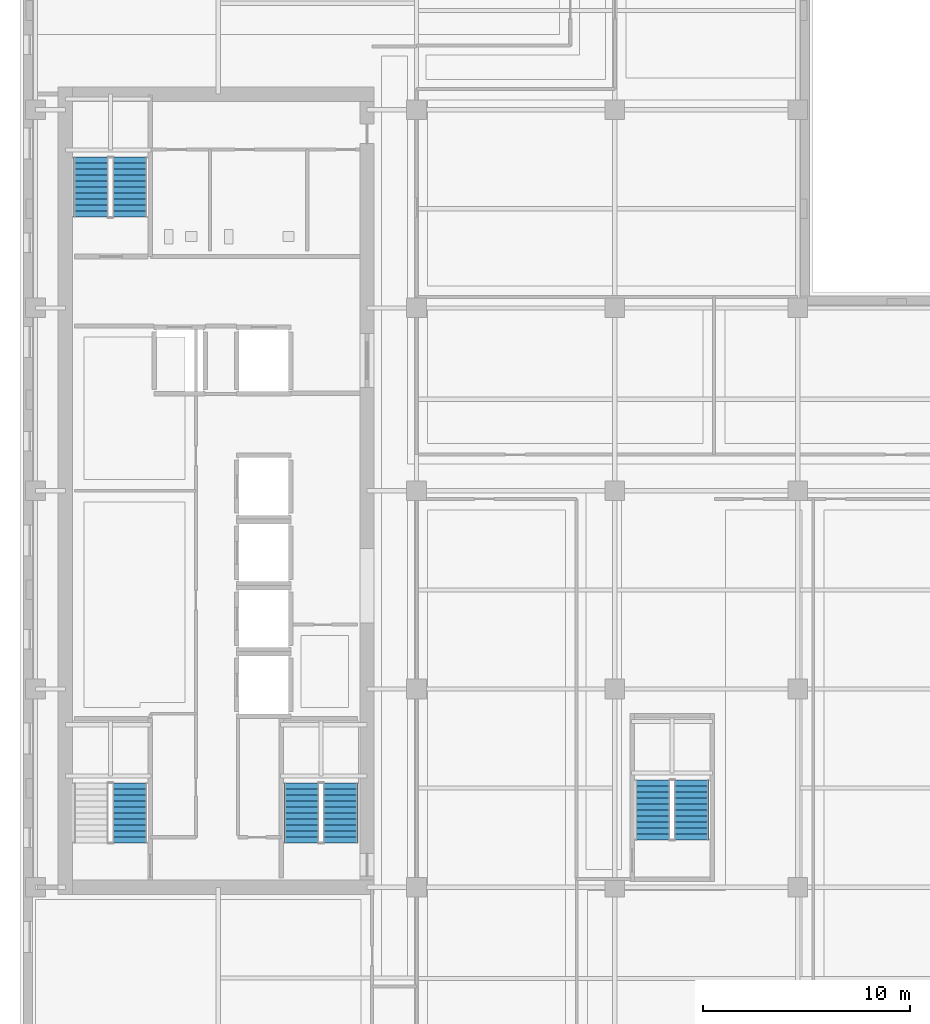
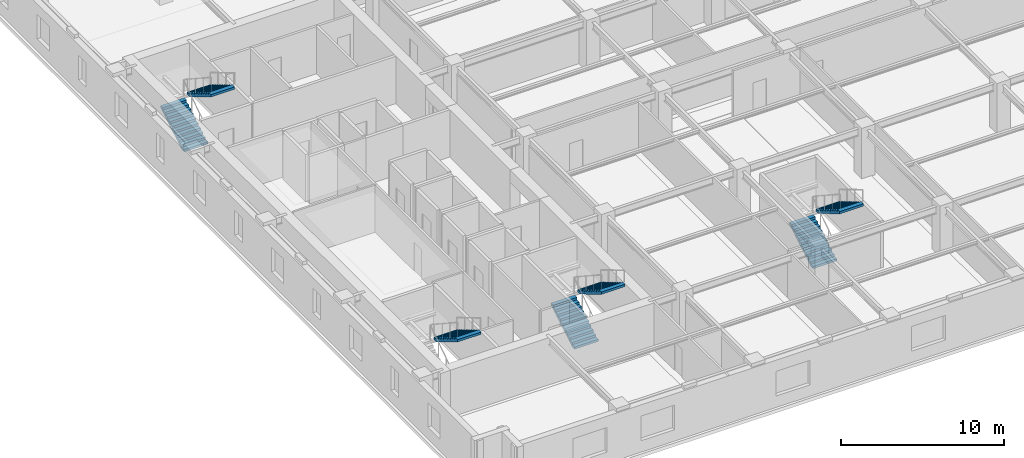
# One storey, part 7 of 12: 7 stair flights, 4 elements without a shape of their own.
"""IFC4 building model written with IfcOpenShell, lengths in metres."""

from ifc_helpers import new_model, si_unit, direction, frame, origin, place, context, subcontext, project, spatial, polyline, outline, extrude, material, type_object, element, aggregate, save


model = new_model("IFC4")

# Units and contexts
model_context = context("Model", 3, precision=1e-05, world=origin(), true_north=direction((0.0, 1.0)))
body_context = subcontext(model_context, "Body", "Model", "MODEL_VIEW")
ifc_project = project(units=[si_unit("LENGTHUNIT", "METRE"), si_unit("AREAUNIT", "SQUARE_METRE"), si_unit("VOLUMEUNIT", "CUBIC_METRE"), si_unit("PLANEANGLEUNIT", "RADIAN"), si_unit("MASSUNIT", "GRAM", prefix="KILO")], contexts=[model_context])

# Site, building, storey
site_placement = place(None, origin())
site = spatial("IfcSite", under=ifc_project, at=site_placement, CompositionType="ELEMENT")
building_placement = place(site_placement, origin())
building = spatial("IfcBuilding", under=site, at=building_placement, Name="Norrvale University Quadrangle", CompositionType="ELEMENT")
storey_placement = place(building_placement, frame((0.0, 0.0, 182.60009765625)))
storey = spatial("IfcBuildingStorey", under=building, at=storey_placement, Name="L46", CompositionType="ELEMENT", Elevation=182.60009765625)

# Stair, stair flight
ifc_material = material(Name="Concrete C40/50", Category="concrete")
stair_type = type_object("IfcStairType", Name="Stair Tower Typ 3800", PredefinedType="TWO_STRAIGHT_RUN_STAIR", material=ifc_material)
stair_1_placement = place(storey_placement, origin())
stair_1 = element("IfcStair", 1, at=stair_1_placement, inside=storey, type_object=stair_type, Name="Exit Stair ST-01 L46", PredefinedType="TWO_STRAIGHT_RUN_STAIR")
stair_flight_type = type_object("IfcStairFlightType", Name="Flight Typ 1500", PredefinedType="STRAIGHT", material=ifc_material)
stair_flight_1_placement = place(storey_placement, frame((5.320068359375, 14.64990234375, 1.89990234375), z_axis=(0.0, 0.0, 1.0), x_axis=(0.0, -1.0, 0.0)))
stair_flight_1 = element("IfcStairFlight", 2, at=stair_flight_1_placement, type_object=stair_flight_type, Name="Exit Stair ST-01 L46 Upper Flight", NumberOfRisers=11, NumberOfTreads=10, PredefinedType="STRAIGHT", RiserHeight=0.172727, TreadLength=0.29, context=body_context, shape_type="SweptSolid", body=[
    extrude(outline(polyline([(0.0, 0.0), (0.0, 0.172607421875), (0.2900390625, 0.172607421875), (0.2900390625, 0.345458984375), (0.580078125, 0.345458984375), (0.580078125, 0.51806640625), (0.8701171875, 0.51806640625), (0.8701171875, 0.69091796875), (1.159912109375, 0.69091796875), (1.159912109375, 0.863525390625), (1.449951171875, 0.863525390625), (1.449951171875, 1.036376953125), (1.739990234375, 1.036376953125), (1.739990234375, 1.208984375), (2.030029296875, 1.208984375), (2.030029296875, 1.3818359375), (2.320068359375, 1.3818359375), (2.320068359375, 1.554443359375), (2.610107421875, 1.554443359375), (2.610107421875, 1.727294921875), (2.89990234375, 1.727294921875), (2.89990234375, 1.89990234375), (2.89990234375, 1.552734375), (0.29296875, 0.0), (0.0, 0.0)])), frame((0.0, 0.83984375, 0.0), z_axis=(0.0, -1.0, 0.0), x_axis=(1.0, 0.0, 0.0)), (0.0, 0.0, 1.0), 1.679931640625),
])
aggregate(stair_1, [stair_flight_1])

# Stair, stair flights
stair_2_placement = place(storey_placement, origin())
stair_2 = element("IfcStair", 3, at=stair_2_placement, inside=storey, type_object=stair_type, Name="Exit Stair ST-02 L46", PredefinedType="TWO_STRAIGHT_RUN_STAIR")
stair_flight_2_placement = place(storey_placement, frame((3.429931640625, 42.050048828125, 0.0), z_axis=(0.0, 0.0, 1.0), x_axis=(0.0, 1.0, 0.0)))
stair_flight_2 = element("IfcStairFlight", 4, at=stair_flight_2_placement, type_object=stair_flight_type, Name="Exit Stair ST-02 L46 Lower Flight", NumberOfRisers=11, NumberOfTreads=10, PredefinedType="STRAIGHT", RiserHeight=0.172727, TreadLength=0.29, context=body_context, shape_type="SweptSolid", body=[
    extrude(outline(polyline([(0.0, 0.0), (0.0, 0.172607421875), (0.2900390625, 0.172607421875), (0.2900390625, 0.345458984375), (0.580078125, 0.345458984375), (0.580078125, 0.51806640625), (0.8701171875, 0.51806640625), (0.8701171875, 0.69091796875), (1.159912109375, 0.69091796875), (1.159912109375, 0.863525390625), (1.449951171875, 0.863525390625), (1.449951171875, 1.036376953125), (1.739990234375, 1.036376953125), (1.739990234375, 1.208984375), (2.030029296875, 1.208984375), (2.030029296875, 1.3818359375), (2.320068359375, 1.3818359375), (2.320068359375, 1.554443359375), (2.610107421875, 1.554443359375), (2.610107421875, 1.727294921875), (2.89990234375, 1.727294921875), (2.89990234375, 1.89990234375), (2.89990234375, 1.552734375), (0.29296875, 0.0), (0.0, 0.0)])), frame((0.0, 0.83984375, 0.0), z_axis=(0.0, -1.0, 0.0), x_axis=(1.0, 0.0, 0.0)), (0.0, 0.0, 1.0), 1.679931640625),
])
stair_flight_3_placement = place(storey_placement, frame((5.320068359375, 44.949951171875, 1.89990234375), z_axis=(0.0, 0.0, 1.0), x_axis=(0.0, -1.0, 0.0)))
stair_flight_3 = element("IfcStairFlight", 5, at=stair_flight_3_placement, type_object=stair_flight_type, Name="Exit Stair ST-02 L46 Upper Flight", NumberOfRisers=11, NumberOfTreads=10, PredefinedType="STRAIGHT", RiserHeight=0.172727, TreadLength=0.29, context=body_context, shape_type="SweptSolid", body=[
    extrude(outline(polyline([(0.0, 0.0), (0.0, 0.172607421875), (0.2900390625, 0.172607421875), (0.2900390625, 0.345458984375), (0.580078125, 0.345458984375), (0.580078125, 0.51806640625), (0.8701171875, 0.51806640625), (0.8701171875, 0.69091796875), (1.159912109375, 0.69091796875), (1.159912109375, 0.863525390625), (1.449951171875, 0.863525390625), (1.449951171875, 1.036376953125), (1.739990234375, 1.036376953125), (1.739990234375, 1.208984375), (2.030029296875, 1.208984375), (2.030029296875, 1.3818359375), (2.320068359375, 1.3818359375), (2.320068359375, 1.554443359375), (2.610107421875, 1.554443359375), (2.610107421875, 1.727294921875), (2.89990234375, 1.727294921875), (2.89990234375, 1.89990234375), (2.89990234375, 1.552734375), (0.29296875, 0.0), (0.0, 0.0)])), frame((0.0, 0.83984375, 0.0), z_axis=(0.0, -1.0, 0.0), x_axis=(1.0, 0.0, 0.0)), (0.0, 0.0, 1.0), 1.679931640625),
])
aggregate(stair_2, [stair_flight_2, stair_flight_3])

stair_3_placement = place(storey_placement, origin())
stair_3 = element("IfcStair", 6, at=stair_3_placement, inside=storey, type_object=stair_type, Name="Exit Stair ST-03 L46", PredefinedType="TWO_STRAIGHT_RUN_STAIR")
stair_flight_4_placement = place(storey_placement, frame((13.6298828125, 11.75, 0.0), z_axis=(0.0, 0.0, 1.0), x_axis=(0.0, 1.0, 0.0)))
stair_flight_4 = element("IfcStairFlight", 7, at=stair_flight_4_placement, type_object=stair_flight_type, Name="Exit Stair ST-03 L46 Lower Flight", NumberOfRisers=11, NumberOfTreads=10, PredefinedType="STRAIGHT", RiserHeight=0.172727, TreadLength=0.29, context=body_context, shape_type="SweptSolid", body=[
    extrude(outline(polyline([(0.0, 0.0), (0.0, 0.172607421875), (0.2900390625, 0.172607421875), (0.2900390625, 0.345458984375), (0.580078125, 0.345458984375), (0.580078125, 0.51806640625), (0.8701171875, 0.51806640625), (0.8701171875, 0.69091796875), (1.159912109375, 0.69091796875), (1.159912109375, 0.863525390625), (1.449951171875, 0.863525390625), (1.449951171875, 1.036376953125), (1.739990234375, 1.036376953125), (1.739990234375, 1.208984375), (2.030029296875, 1.208984375), (2.030029296875, 1.3818359375), (2.320068359375, 1.3818359375), (2.320068359375, 1.554443359375), (2.610107421875, 1.554443359375), (2.610107421875, 1.727294921875), (2.89990234375, 1.727294921875), (2.89990234375, 1.89990234375), (2.89990234375, 1.552734375), (0.29296875, 0.0), (0.0, 0.0)])), frame((0.0, 0.83984375, 0.0), z_axis=(0.0, -1.0, 0.0), x_axis=(1.0, 0.0, 0.0)), (0.0, 0.0, 1.0), 1.679931640625),
])
stair_flight_5_placement = place(storey_placement, frame((15.52001953125, 14.64990234375, 1.89990234375), z_axis=(0.0, 0.0, 1.0), x_axis=(0.0, -1.0, 0.0)))
stair_flight_5 = element("IfcStairFlight", 8, at=stair_flight_5_placement, type_object=stair_flight_type, Name="Exit Stair ST-03 L46 Upper Flight", NumberOfRisers=11, NumberOfTreads=10, PredefinedType="STRAIGHT", RiserHeight=0.172727, TreadLength=0.29, context=body_context, shape_type="SweptSolid", body=[
    extrude(outline(polyline([(0.0, 0.0), (0.0, 0.172607421875), (0.2900390625, 0.172607421875), (0.2900390625, 0.345458984375), (0.580078125, 0.345458984375), (0.580078125, 0.51806640625), (0.8701171875, 0.51806640625), (0.8701171875, 0.69091796875), (1.159912109375, 0.69091796875), (1.159912109375, 0.863525390625), (1.449951171875, 0.863525390625), (1.449951171875, 1.036376953125), (1.739990234375, 1.036376953125), (1.739990234375, 1.208984375), (2.030029296875, 1.208984375), (2.030029296875, 1.3818359375), (2.320068359375, 1.3818359375), (2.320068359375, 1.554443359375), (2.610107421875, 1.554443359375), (2.610107421875, 1.727294921875), (2.89990234375, 1.727294921875), (2.89990234375, 1.89990234375), (2.89990234375, 1.552734375), (0.29296875, 0.0), (0.0, 0.0)])), frame((0.0, 0.83984375, 0.0), z_axis=(0.0, -1.0, 0.0), x_axis=(1.0, 0.0, 0.0)), (0.0, 0.0, 1.0), 1.679931640625),
])
aggregate(stair_3, [stair_flight_4, stair_flight_5])

stair_4_placement = place(storey_placement, origin())
stair_4 = element("IfcStair", 9, at=stair_4_placement, inside=storey, type_object=stair_type, Name="Exit Stair ST-04 L46", PredefinedType="TWO_STRAIGHT_RUN_STAIR")
stair_flight_6_placement = place(storey_placement, frame((30.6298828125, 11.89990234375, 0.0), z_axis=(0.0, 0.0, 1.0), x_axis=(0.0, 1.0, 0.0)))
stair_flight_6 = element("IfcStairFlight", 10, at=stair_flight_6_placement, type_object=stair_flight_type, Name="Exit Stair ST-04 L46 Lower Flight", NumberOfRisers=11, NumberOfTreads=10, PredefinedType="STRAIGHT", RiserHeight=0.172727, TreadLength=0.29, context=body_context, shape_type="SweptSolid", body=[
    extrude(outline(polyline([(0.0, 0.0), (0.0, 0.172607421875), (0.2900390625, 0.172607421875), (0.2900390625, 0.345458984375), (0.580078125, 0.345458984375), (0.580078125, 0.51806640625), (0.8701171875, 0.51806640625), (0.8701171875, 0.69091796875), (1.159912109375, 0.69091796875), (1.159912109375, 0.863525390625), (1.449951171875, 0.863525390625), (1.449951171875, 1.036376953125), (1.739990234375, 1.036376953125), (1.739990234375, 1.208984375), (2.030029296875, 1.208984375), (2.030029296875, 1.3818359375), (2.320068359375, 1.3818359375), (2.320068359375, 1.554443359375), (2.610107421875, 1.554443359375), (2.610107421875, 1.727294921875), (2.89990234375, 1.727294921875), (2.89990234375, 1.89990234375), (2.89990234375, 1.552734375), (0.29296875, 0.0), (0.0, 0.0)])), frame((0.0, 0.83984375, 0.0), z_axis=(0.0, -1.0, 0.0), x_axis=(1.0, 0.0, 0.0)), (0.0, 0.0, 1.0), 1.679931640625),
])
stair_flight_7_placement = place(storey_placement, frame((32.52001953125, 14.800048828125, 1.89990234375), z_axis=(0.0, 0.0, 1.0), x_axis=(0.0, -1.0, 0.0)))
stair_flight_7 = element("IfcStairFlight", 11, at=stair_flight_7_placement, type_object=stair_flight_type, Name="Exit Stair ST-04 L46 Upper Flight", NumberOfRisers=11, NumberOfTreads=10, PredefinedType="STRAIGHT", RiserHeight=0.172727, TreadLength=0.29, context=body_context, shape_type="SweptSolid", body=[
    extrude(outline(polyline([(0.0, 0.0), (0.0, 0.172607421875), (0.2900390625, 0.172607421875), (0.2900390625, 0.345458984375), (0.580078125, 0.345458984375), (0.580078125, 0.51806640625), (0.8701171875, 0.51806640625), (0.8701171875, 0.69091796875), (1.159912109375, 0.69091796875), (1.159912109375, 0.863525390625), (1.449951171875, 0.863525390625), (1.449951171875, 1.036376953125), (1.739990234375, 1.036376953125), (1.739990234375, 1.208984375), (2.030029296875, 1.208984375), (2.030029296875, 1.3818359375), (2.320068359375, 1.3818359375), (2.320068359375, 1.554443359375), (2.610107421875, 1.554443359375), (2.610107421875, 1.727294921875), (2.89990234375, 1.727294921875), (2.89990234375, 1.89990234375), (2.89990234375, 1.552734375), (0.29296875, 0.0), (0.0, 0.0)])), frame((0.0, 0.83984375, 0.0), z_axis=(0.0, -1.0, 0.0), x_axis=(1.0, 0.0, 0.0)), (0.0, 0.0, 1.0), 1.679931640625),
])
aggregate(stair_4, [stair_flight_6, stair_flight_7])

save(model, "model.ifc")
